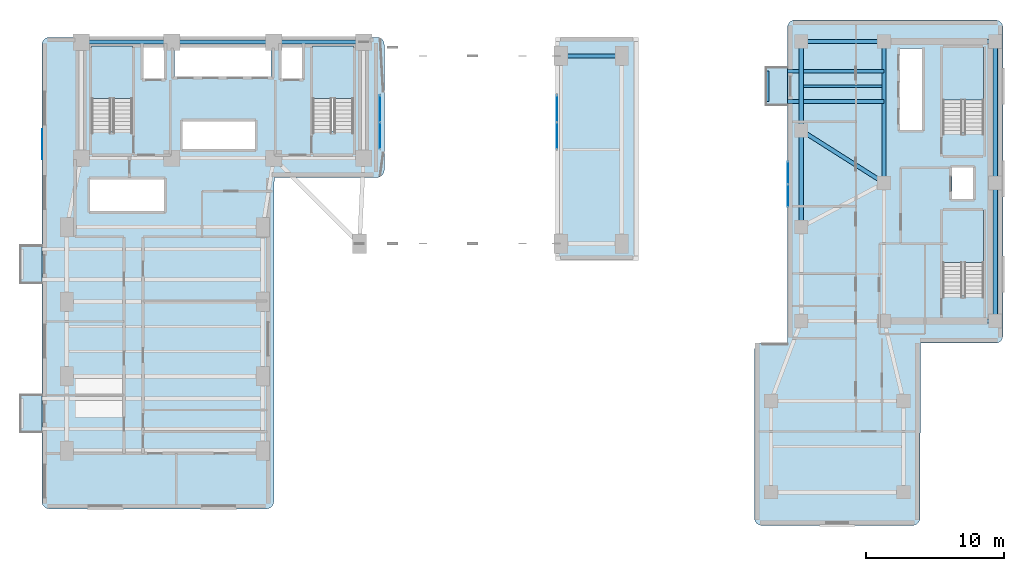
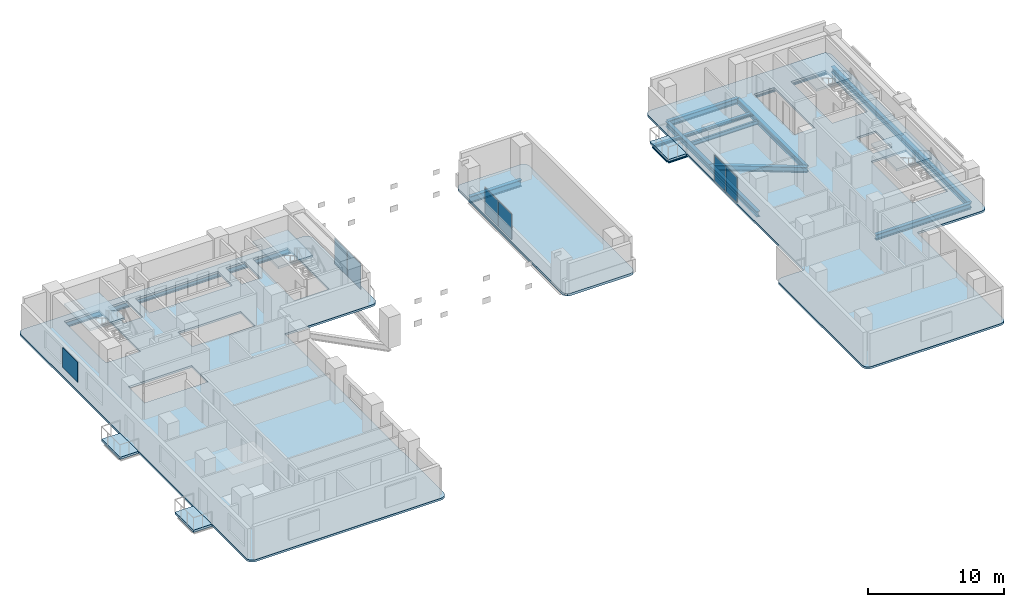
# One storey, part 6 of 14: 17 beams, 10 slabs, 7 plates, 7 elements without a shape of their own.
"""IFC4 building model written with IfcOpenShell, lengths in metres."""

from ifc_helpers import new_model, si_unit, direction, frame, origin, origin_2d, place, context, subcontext, project, spatial, polyline, rectangle, i_section, outline, extrude, material, layer, layer_set, material_profile, profile_set, type_object, element, aggregate, save


model = new_model("IFC4")

# Units and contexts
model_context = context("Model", 3, precision=1e-05, world=origin(), true_north=direction((0.0, 1.0)))
body_context = subcontext(model_context, "Body", "Model", "MODEL_VIEW")
ifc_project = project(units=[si_unit("LENGTHUNIT", "METRE"), si_unit("AREAUNIT", "SQUARE_METRE"), si_unit("VOLUMEUNIT", "CUBIC_METRE"), si_unit("PLANEANGLEUNIT", "RADIAN"), si_unit("MASSUNIT", "GRAM", prefix="KILO")], contexts=[model_context])

# Site, building, storey
site_placement = place(None, origin())
site = spatial("IfcSite", under=ifc_project, at=site_placement, CompositionType="ELEMENT")
building_placement = place(site_placement, origin())
building = spatial("IfcBuilding", under=site, at=building_placement, Name="Kuzgunbayir Cultural Tower", CompositionType="ELEMENT")
storey_placement = place(building_placement, frame((0.0, 0.0, 36.60009765625)))
storey = spatial("IfcBuildingStorey", under=building, at=storey_placement, Name="L09", CompositionType="ELEMENT", Elevation=36.60009765625)

# Beams
ifc_material_1 = material(Name="Steel S355J2", Category="steel")
ifc_material_profile_1 = material_profile(ifc_material_1, i_section(OverallWidth=0.260009765625, OverallDepth=0.260009765625, WebThickness=0.010009765625, FlangeThickness=0.017578125, FilletRadius=0.02392578125, at=origin_2d()), Name="HEB 260")
ifc_profile_set_1 = profile_set([ifc_material_profile_1], Name="Steel S355J2")
beam_type_1 = type_object("IfcBeamType", Name="BM-BAL-HEB260", PredefinedType="BEAM", material=ifc_profile_set_1)
for number, where, z_axis, x_axis, name in (
    (1, (56.159912109375, 37.89990234375, -0.330078125), (1.0, 0.0, 0.0), (0.0, 1.0, 0.0), "L09 Companion Balcony Outrigger BAL-L09-T2W3.1"),
    (2, (56.159912109375, 40.10009765625, -0.330078125), (1.0, 0.0, 0.0), (0.0, 1.0, 0.0), "L09 Companion Balcony Outrigger BAL-L09-T2W3.2"),
):
    element("IfcBeam", number, at=place(storey_placement, frame(where, z_axis=z_axis, x_axis=x_axis)), inside=storey, type_object=beam_type_1, Name=name, PredefinedType="BEAM", context=body_context, shape_type="SweptSolid", body=[
        extrude(i_section(OverallWidth=0.260009765625, OverallDepth=0.260009765625, WebThickness=0.010009765625, FlangeThickness=0.017578125, FilletRadius=0.02392578125, at=origin_2d()), origin(), (0.0, 0.0, 1.0), 8.440185546875),
    ])
ifc_material_profile_2 = material_profile(ifc_material_1, i_section(OverallWidth=0.199951171875, OverallDepth=0.199951171875, WebThickness=0.009033203125, FlangeThickness=0.014892578125, FilletRadius=0.01806640625, at=origin_2d()), Name="HEB 200")
ifc_profile_set_2 = profile_set([ifc_material_profile_2], Name="Steel S355J2")
beam_type_2 = type_object("IfcBeamType", Name="BM-CAN-HEB200", PredefinedType="BEAM", material=ifc_profile_set_2)
beam_1_placement = place(storey_placement, frame((56.159912109375, 37.89990234375, -0.300048828125), z_axis=(0.0, 1.0, 0.0), x_axis=(-1.0, 0.0, 0.0)))
element("IfcBeam", 3, at=beam_1_placement, inside=storey, type_object=beam_type_2, Name="L09 Companion Balcony Header BAL-L09-T2W3", PredefinedType="BEAM", context=body_context, shape_type="SweptSolid", body=[
    extrude(i_section(OverallWidth=0.199951171875, OverallDepth=0.199951171875, WebThickness=0.009033203125, FlangeThickness=0.014892578125, FilletRadius=0.01806640625, at=origin_2d()), origin(), (0.0, 0.0, 1.0), 2.2001953125),
])
ifc_material_profile_3 = material_profile(ifc_material_1, i_section(OverallWidth=0.300048828125, OverallDepth=0.5, WebThickness=0.014404296875, FlangeThickness=0.028076171875, FilletRadius=0.027099609375, at=origin_2d()), Name="HEB 500")
ifc_profile_set_3 = profile_set([ifc_material_profile_3], Name="Steel S355J2")
beam_type_3 = type_object("IfcBeamType", Name="BM-EXT-HEB500", PredefinedType="BEAM", material=ifc_profile_set_3)
beam_2_placement = place(storey_placement, frame((58.60009765625, 28.800048828125, -0.43017578125), z_axis=(0.0, 1.0, 0.0), x_axis=(-1.0, 0.0, 0.0)))
element("IfcBeam", 4, at=beam_2_placement, inside=storey, type_object=beam_type_3, Name="L09 Companion West Girder", PredefinedType="BEAM", context=body_context, shape_type="SweptSolid", body=[
    extrude(i_section(OverallWidth=0.300048828125, OverallDepth=0.5, WebThickness=0.014404296875, FlangeThickness=0.028076171875, FilletRadius=0.027099609375, at=origin_2d()), origin(), (0.0, 0.0, 1.0), 7.0),
])
beam_3_placement = place(storey_placement, frame((58.60009765625, 35.800048828125, -0.43017578125), z_axis=(0.0, 1.0, 0.0), x_axis=(-1.0, 0.0, 0.0)))
element("IfcBeam", 5, at=beam_3_placement, inside=storey, type_object=beam_type_3, Name="L09 Companion West Girder", PredefinedType="BEAM", context=body_context, shape_type="SweptSolid", body=[
    extrude(i_section(OverallWidth=0.300048828125, OverallDepth=0.5, WebThickness=0.014404296875, FlangeThickness=0.028076171875, FilletRadius=0.027099609375, at=origin_2d()), origin(), (0.0, 0.0, 1.0), 6.449951171875),
])
ifc_material_profile_4 = material_profile(ifc_material_1, i_section(OverallWidth=0.300048828125, OverallDepth=0.60009765625, WebThickness=0.015380859375, FlangeThickness=0.030029296875, FilletRadius=0.027099609375, at=origin_2d()), Name="HEB 600")
ifc_profile_set_4 = profile_set([ifc_material_profile_4], Name="Steel S355J2")
beam_type_4 = type_object("IfcBeamType", Name="BM-EXT-HEB600", PredefinedType="BEAM", material=ifc_profile_set_4)
beam_4_placement = place(storey_placement, frame((41.199951171875, 41.199951171875, -0.52001953125), z_axis=(1.0, 0.0, 0.0), x_axis=(0.0, 1.0, 0.0)))
element("IfcBeam", 6, at=beam_4_placement, inside=storey, type_object=beam_type_4, Name="L09 Portal Pier North Girder", PredefinedType="BEAM", context=body_context, shape_type="SweptSolid", body=[
    extrude(i_section(OverallWidth=0.300048828125, OverallDepth=0.60009765625, WebThickness=0.015380859375, FlangeThickness=0.030029296875, FilletRadius=0.027099609375, at=origin_2d()), origin(), (0.0, 0.0, 1.0), 4.400146484375),
])
ifc_material_profile_5 = material_profile(ifc_material_1, i_section(OverallWidth=0.300048828125, OverallDepth=0.5, WebThickness=0.014404296875, FlangeThickness=0.028076171875, FilletRadius=0.027099609375, at=origin_2d()), Name="HEB 500")
ifc_profile_set_5 = profile_set([ifc_material_profile_5], Name="Steel S355J2")
beam_type_5 = type_object("IfcBeamType", Name="BM-GIR-HEB500", PredefinedType="BEAM", material=ifc_profile_set_5)
beam_5_placement = place(storey_placement, frame((58.60009765625, 35.800048828125, -0.43017578125), z_axis=(0.844815967829, -0.535056988088, 0.0), x_axis=(0.535056988088, 0.844815967829, 0.0)))
element("IfcBeam", 7, at=beam_5_placement, inside=storey, type_object=beam_type_5, Name="L09 Companion Transverse Girder 3", PredefinedType="BEAM", context=body_context, shape_type="SweptSolid", body=[
    extrude(i_section(OverallWidth=0.300048828125, OverallDepth=0.5, WebThickness=0.014404296875, FlangeThickness=0.028076171875, FilletRadius=0.027099609375, at=origin_2d()), origin(), (0.0, 0.0, 1.0), 7.10205078125),
])
beam_6_placement = place(storey_placement, frame((58.60009765625, 42.25, -0.43017578125), z_axis=(1.0, 0.0, 0.0), x_axis=(0.0, 1.0, 0.0)))
element("IfcBeam", 8, at=beam_6_placement, inside=storey, type_object=beam_type_5, Name="L09 Companion Transverse Girder 4", PredefinedType="BEAM", context=body_context, shape_type="SweptSolid", body=[
    extrude(i_section(OverallWidth=0.300048828125, OverallDepth=0.5, WebThickness=0.014404296875, FlangeThickness=0.028076171875, FilletRadius=0.027099609375, at=origin_2d()), origin(), (0.0, 0.0, 1.0), 6.0),
])
beam_7_placement = place(storey_placement, frame((64.60009765625, 32.0, -0.43017578125), z_axis=(0.0, 1.0, 0.0), x_axis=(-1.0, 0.0, 0.0)))
element("IfcBeam", 9, at=beam_7_placement, inside=storey, type_object=beam_type_5, Name="L09 Companion Core West Girder 2", PredefinedType="BEAM", context=body_context, shape_type="SweptSolid", body=[
    extrude(i_section(OverallWidth=0.300048828125, OverallDepth=0.5, WebThickness=0.014404296875, FlangeThickness=0.028076171875, FilletRadius=0.027099609375, at=origin_2d()), origin(), (0.0, 0.0, 1.0), 10.25),
])
beam_8_placement = place(storey_placement, frame((72.64990234375, 22.0, -0.43017578125), z_axis=(0.0, 1.0, 0.0), x_axis=(-1.0, 0.0, 0.0)))
element("IfcBeam", 10, at=beam_8_placement, inside=storey, type_object=beam_type_5, Name="L09 Companion Core East Girder 1", PredefinedType="BEAM", context=body_context, shape_type="SweptSolid", body=[
    extrude(i_section(OverallWidth=0.300048828125, OverallDepth=0.5, WebThickness=0.014404296875, FlangeThickness=0.028076171875, FilletRadius=0.027099609375, at=origin_2d()), origin(), (0.0, 0.0, 1.0), 10.0),
])
beam_9_placement = place(storey_placement, frame((72.64990234375, 32.0, -0.43017578125), z_axis=(0.0, 1.0, 0.0), x_axis=(-1.0, 0.0, 0.0)))
element("IfcBeam", 11, at=beam_9_placement, inside=storey, type_object=beam_type_5, Name="L09 Companion Core East Girder 2", PredefinedType="BEAM", context=body_context, shape_type="SweptSolid", body=[
    extrude(i_section(OverallWidth=0.300048828125, OverallDepth=0.5, WebThickness=0.014404296875, FlangeThickness=0.028076171875, FilletRadius=0.027099609375, at=origin_2d()), origin(), (0.0, 0.0, 1.0), 10.25),
])
for number, where, z_axis, x_axis, name in (
    (12, (64.60009765625, 22.0, -0.43017578125), (1.0, 0.0, 0.0), (0.0, 1.0, 0.0), "L09 Companion Core South Girder"),
    (13, (64.60009765625, 42.25, -0.43017578125), (1.0, 0.0, 0.0), (0.0, 1.0, 0.0), "L09 Companion Core North Girder"),
):
    element("IfcBeam", number, at=place(storey_placement, frame(where, z_axis=z_axis, x_axis=x_axis)), inside=storey, type_object=beam_type_5, Name=name, PredefinedType="BEAM", context=body_context, shape_type="SweptSolid", body=[
        extrude(i_section(OverallWidth=0.300048828125, OverallDepth=0.5, WebThickness=0.014404296875, FlangeThickness=0.028076171875, FilletRadius=0.027099609375, at=origin_2d()), origin(), (0.0, 0.0, 1.0), 8.0498046875),
    ])
ifc_material_profile_6 = material_profile(ifc_material_1, i_section(OverallWidth=0.300048828125, OverallDepth=0.60009765625, WebThickness=0.015380859375, FlangeThickness=0.030029296875, FilletRadius=0.027099609375, at=origin_2d()), Name="HEB 600")
ifc_profile_set_6 = profile_set([ifc_material_profile_6], Name="Steel S355J2")
beam_type_6 = type_object("IfcBeamType", Name="BM-GIR-HEB600", PredefinedType="BEAM", material=ifc_profile_set_6)
beam_10_placement = place(storey_placement, frame((6.449951171875, 42.199951171875, -0.47998046875), z_axis=(1.0, 0.0, 0.0), x_axis=(0.0, 1.0, 0.0)))
element("IfcBeam", 14, at=beam_10_placement, inside=storey, type_object=beam_type_6, Name="L09 Core North Girder 1", PredefinedType="BEAM", context=body_context, shape_type="SweptSolid", body=[
    extrude(i_section(OverallWidth=0.300048828125, OverallDepth=0.60009765625, WebThickness=0.015380859375, FlangeThickness=0.030029296875, FilletRadius=0.027099609375, at=origin_2d()), origin(), (0.0, 0.0, 1.0), 6.550048828125),
])
beam_11_placement = place(storey_placement, frame((13.0, 42.199951171875, -0.47998046875), z_axis=(1.0, 0.0, 0.0), x_axis=(0.0, 1.0, 0.0)))
element("IfcBeam", 15, at=beam_11_placement, inside=storey, type_object=beam_type_6, Name="L09 Core North Girder 2", PredefinedType="BEAM", context=body_context, shape_type="SweptSolid", body=[
    extrude(i_section(OverallWidth=0.300048828125, OverallDepth=0.60009765625, WebThickness=0.015380859375, FlangeThickness=0.030029296875, FilletRadius=0.027099609375, at=origin_2d()), origin(), (0.0, 0.0, 1.0), 7.39990234375),
])
beam_12_placement = place(storey_placement, frame((20.39990234375, 42.199951171875, -0.47998046875), z_axis=(1.0, 0.0, 0.0), x_axis=(0.0, 1.0, 0.0)))
element("IfcBeam", 16, at=beam_12_placement, inside=storey, type_object=beam_type_6, Name="L09 Core North Girder 3", PredefinedType="BEAM", context=body_context, shape_type="SweptSolid", body=[
    extrude(i_section(OverallWidth=0.300048828125, OverallDepth=0.60009765625, WebThickness=0.015380859375, FlangeThickness=0.030029296875, FilletRadius=0.027099609375, at=origin_2d()), origin(), (0.0, 0.0, 1.0), 6.5),
])
ifc_material_profile_7 = material_profile(ifc_material_1, i_section(OverallWidth=0.169921875, OverallDepth=0.360107421875, WebThickness=0.008056640625, FlangeThickness=0.0126953125, FilletRadius=0.01806640625, at=origin_2d()), Name="IPE 360")
ifc_profile_set_7 = profile_set([ifc_material_profile_7], Name="Steel S355J2")
beam_type_7 = type_object("IfcBeamType", Name="BM-JST-IPE360", PredefinedType="JOIST", material=ifc_profile_set_7)
beam_13_placement = place(storey_placement, frame((58.75, 39.0, -0.360107421875), z_axis=(1.0, 0.0, 0.0), x_axis=(0.0, 1.0, 0.0)))
element("IfcBeam", 17, at=beam_13_placement, inside=storey, type_object=beam_type_7, Name="L09 Companion Joist", PredefinedType="JOIST", context=body_context, shape_type="SweptSolid", body=[
    extrude(i_section(OverallWidth=0.169921875, OverallDepth=0.360107421875, WebThickness=0.008056640625, FlangeThickness=0.0126953125, FilletRadius=0.01806640625, at=origin_2d()), origin(), (0.0, 0.0, 1.0), 5.699951171875),
])

# Curtain wall, plates
ifc_material_2 = material(Name="Anodised Aluminium Framing", Category="aluminium")
curtain_wall_type_1 = type_object("IfcCurtainWallType", Name="CW02-PORTAL-SOFFIT", PredefinedType="NOTDEFINED", material=ifc_material_2)
curtain_wall_1_placement = place(storey_placement, origin())
curtain_wall_1 = element("IfcCurtainWall", 18, at=curtain_wall_1_placement, inside=storey, type_object=curtain_wall_type_1, Name="L09 Void-Portal West Jamb Curtain Wall", PredefinedType="NOTDEFINED")
ifc_material_3 = material(Name="Solar-Control Triple Glazing", Category="glass")
ifc_layer_1 = layer(ifc_material_3, 0.035888671875)
ifc_layer_set_1 = layer_set([ifc_layer_1], Name="Solar-Control Triple Glazing")
plate_type_1 = type_object("IfcPlateType", Name="PLT-CW-GLASS-36", PredefinedType="CURTAIN_PANEL", material=ifc_layer_set_1)
plate_1_placement = place(storey_placement, frame((28.10009765625, 35.4150390625, 0.059814453125), z_axis=(0.0, 0.0, 1.0), x_axis=(0.0, 1.0, 0.0)))
plate_1 = element("IfcPlate", 19, at=plate_1_placement, type_object=plate_type_1, Name="CW02 panel 1.1", PredefinedType="CURTAIN_PANEL", context=body_context, shape_type="SweptSolid", body=[
    extrude(rectangle(XDim=1.909912109375, YDim=0.035888671875, at=origin_2d()), origin(), (0.0, 0.0, 1.0), 2.2900390625),
])
plate_2_placement = place(storey_placement, frame((28.10009765625, 37.385009765625, 0.059814453125), z_axis=(0.0, 0.0, 1.0), x_axis=(0.0, 1.0, 0.0)))
plate_2 = element("IfcPlate", 20, at=plate_2_placement, type_object=plate_type_1, Name="CW02 panel 2.1", PredefinedType="CURTAIN_PANEL", context=body_context, shape_type="SweptSolid", body=[
    extrude(rectangle(XDim=1.909912109375, YDim=0.035888671875, at=origin_2d()), origin(), (0.0, 0.0, 1.0), 2.2900390625),
])
aggregate(curtain_wall_1, [plate_1, plate_2])

curtain_wall_2_placement = place(storey_placement, origin())
curtain_wall_2 = element("IfcCurtainWall", 21, at=curtain_wall_2_placement, inside=storey, type_object=curtain_wall_type_1, Name="L09 Void-Portal East Jamb Curtain Wall", PredefinedType="NOTDEFINED")
plate_3_placement = place(storey_placement, frame((40.89990234375, 35.4150390625, 0.059814453125), z_axis=(0.0, 0.0, 1.0), x_axis=(0.0, 1.0, 0.0)))
plate_3 = element("IfcPlate", 22, at=plate_3_placement, type_object=plate_type_1, Name="CW02 panel 1.1", PredefinedType="CURTAIN_PANEL", context=body_context, shape_type="SweptSolid", body=[
    extrude(rectangle(XDim=1.909912109375, YDim=0.035888671875, at=origin_2d()), origin(), (0.0, 0.0, 1.0), 2.2900390625),
])
plate_4_placement = place(storey_placement, frame((40.89990234375, 37.385009765625, 0.059814453125), z_axis=(0.0, 0.0, 1.0), x_axis=(0.0, 1.0, 0.0)))
plate_4 = element("IfcPlate", 23, at=plate_4_placement, type_object=plate_type_1, Name="CW02 panel 2.1", PredefinedType="CURTAIN_PANEL", context=body_context, shape_type="SweptSolid", body=[
    extrude(rectangle(XDim=1.909912109375, YDim=0.035888671875, at=origin_2d()), origin(), (0.0, 0.0, 1.0), 2.2900390625),
])
aggregate(curtain_wall_2, [plate_3, plate_4])

curtain_wall_type_2 = type_object("IfcCurtainWallType", Name="CW04-T2-CULTURAL", PredefinedType="NOTDEFINED", material=ifc_material_2)
curtain_wall_3_placement = place(storey_placement, origin())
curtain_wall_3 = element("IfcCurtainWall", 24, at=curtain_wall_3_placement, inside=storey, type_object=curtain_wall_type_2, Name="L09 Companion Cultural Curtain Wall", PredefinedType="NOTDEFINED")
plate_5_placement = place(storey_placement, frame((57.6201171875, 31.06494140625, 0.059814453125), z_axis=(0.0, 0.0, 1.0), x_axis=(0.0, 1.0, 0.0)))
plate_5 = element("IfcPlate", 25, at=plate_5_placement, type_object=plate_type_1, Name="CW04 panel 1.1", PredefinedType="CURTAIN_PANEL", context=body_context, shape_type="SweptSolid", body=[
    extrude(rectangle(XDim=1.610107421875, YDim=0.035888671875, at=origin_2d()), origin(), (0.0, 0.0, 1.0), 2.2900390625),
])
plate_6_placement = place(storey_placement, frame((57.6201171875, 32.735107421875, 0.059814453125), z_axis=(0.0, 0.0, 1.0), x_axis=(0.0, 1.0, 0.0)))
plate_6 = element("IfcPlate", 26, at=plate_6_placement, type_object=plate_type_1, Name="CW04 panel 2.1", PredefinedType="CURTAIN_PANEL", context=body_context, shape_type="SweptSolid", body=[
    extrude(rectangle(XDim=1.610107421875, YDim=0.035888671875, at=origin_2d()), origin(), (0.0, 0.0, 1.0), 2.2900390625),
])
aggregate(curtain_wall_3, [plate_5, plate_6])

# Plate
ifc_material_4 = material(Name="Perforated Bronze-Anodised Aluminium", Category="aluminium")
ifc_layer_2 = layer(ifc_material_4, 0.02392578125)
ifc_layer_set_2 = layer_set([ifc_layer_2], Name="Perforated Bronze-Anodised Aluminium")
plate_type_2 = type_object("IfcPlateType", Name="PLT-SOLAR-SCREEN-14", PredefinedType="SHEET", material=ifc_layer_set_2)
plate_7_placement = place(storey_placement, frame((3.6298828125, 34.800048828125, 0.75), z_axis=(0.0, 0.0, 1.0), x_axis=(1.0, 0.0, 0.0)))
element("IfcPlate", 27, at=plate_7_placement, inside=storey, type_object=plate_type_2, Name="L09 Tower 1 Perforated Ceramic Solar Screen Panel", PredefinedType="SHEET", context=body_context, shape_type="SweptSolid", body=[
    extrude(rectangle(XDim=0.02392578125, YDim=2.199951171875, at=origin_2d()), origin(), (0.0, 0.0, 1.0), 1.800048828125),
])

# Slabs
ifc_material_5 = material(Name="Concrete C40/50", Category="concrete")
ifc_layer_3 = layer(ifc_material_5, 0.199951171875)
ifc_layer_set_3 = layer_set([ifc_layer_3], Name="Concrete C40/50")
slab_type_1 = type_object("IfcSlabType", Name="SLB-BAL-STONE", PredefinedType="FLOOR", material=ifc_layer_set_3)
slab_1_placement = place(storey_placement, frame((0.0, 0.0, -0.2001953125)))
element("IfcSlab", 28, at=slab_1_placement, inside=storey, type_object=slab_type_1, Name="L09 Projecting Limestone Balcony BAL-L09-WA1", PredefinedType="FLOOR", context=body_context, shape_type="SweptSolid", body=[
    extrude(outline(polyline([(2.0400390625, 13.949951171875), (3.60009765625, 13.949951171875), (3.60009765625, 16.64990234375), (2.0400390625, 16.64990234375), (2.0400390625, 13.949951171875)])), origin(), (0.0, 0.0, 1.0), 0.2001953125),
])
slab_2_placement = place(storey_placement, frame((0.0, 0.0, -0.2001953125)))
element("IfcSlab", 29, at=slab_2_placement, inside=storey, type_object=slab_type_1, Name="L09 Projecting Limestone Balcony BAL-L09-WA3", PredefinedType="FLOOR", context=body_context, shape_type="SweptSolid", body=[
    extrude(outline(polyline([(2.0400390625, 24.75), (3.60009765625, 24.75), (3.60009765625, 27.449951171875), (2.0400390625, 27.449951171875), (2.0400390625, 24.75)])), origin(), (0.0, 0.0, 1.0), 0.2001953125),
])
slab_3_placement = place(storey_placement, frame((0.0, 0.0, -0.2001953125)))
element("IfcSlab", 30, at=slab_3_placement, inside=storey, type_object=slab_type_1, Name="L09 Projecting Limestone Balcony BAL-L09-T2W3", PredefinedType="FLOOR", context=body_context, shape_type="SweptSolid", body=[
    extrude(outline(polyline([(56.0400390625, 37.64990234375), (57.60009765625, 37.64990234375), (57.60009765625, 40.35009765625), (56.0400390625, 40.35009765625), (56.0400390625, 37.64990234375)])), origin(), (0.0, 0.0, 1.0), 0.2001953125),
])

# Stair, slab
stair_type = type_object("IfcStairType", Name="STR-EXIT-CORE", PredefinedType="HALF_TURN_STAIR", material=ifc_material_5)
stair_1_placement = place(storey_placement, origin())
stair_1 = element("IfcStair", 31, at=stair_1_placement, inside=storey, type_object=stair_type, Name="L09 ST-1", PredefinedType="HALF_TURN_STAIR")
ifc_layer_4 = layer(ifc_material_5, 0.179931640625)
ifc_layer_set_4 = layer_set([ifc_layer_4], Name="Concrete C40/50")
slab_type_2 = type_object("IfcSlabType", Name="SLB-LANDING-180", PredefinedType="LANDING", material=ifc_layer_set_4)
slab_4_placement = place(storey_placement, frame((0.0, 0.0, 1.39990234375)))
slab_4 = element("IfcSlab", 32, at=slab_4_placement, type_object=slab_type_2, Name="ST-1 landing 1", PredefinedType="LANDING", context=body_context, shape_type="SweptSolid", body=[
    extrude(outline(polyline([(10.159912109375, 38.1201171875), (10.159912109375, 41.89990234375), (7.199951171875, 41.89990234375), (7.199951171875, 38.1201171875), (10.159912109375, 38.1201171875)])), origin(), (0.0, 0.0, 1.0), 0.199951171875),
])
aggregate(stair_1, [slab_4])

stair_2_placement = place(storey_placement, origin())
stair_2 = element("IfcStair", 33, at=stair_2_placement, inside=storey, type_object=stair_type, Name="L09 ST-2", PredefinedType="HALF_TURN_STAIR")
slab_5_placement = place(storey_placement, frame((0.0, 0.0, 1.39990234375)))
slab_5 = element("IfcSlab", 34, at=slab_5_placement, type_object=slab_type_2, Name="ST-2 landing 1", PredefinedType="LANDING", context=body_context, shape_type="SweptSolid", body=[
    extrude(outline(polyline([(26.159912109375, 38.1201171875), (26.159912109375, 41.89990234375), (23.199951171875, 41.89990234375), (23.199951171875, 38.1201171875), (26.159912109375, 38.1201171875)])), origin(), (0.0, 0.0, 1.0), 0.199951171875),
])
aggregate(stair_2, [slab_5])

stair_3_placement = place(storey_placement, origin())
stair_3 = element("IfcStair", 35, at=stair_3_placement, inside=storey, type_object=stair_type, Name="L09 ST-3", PredefinedType="HALF_TURN_STAIR")
slab_6_placement = place(storey_placement, frame((0.0, 0.0, 1.39990234375)))
slab_6 = element("IfcSlab", 36, at=slab_6_placement, type_object=slab_type_2, Name="ST-3 landing 1", PredefinedType="LANDING", context=body_context, shape_type="SweptSolid", body=[
    extrude(outline(polyline([(71.800048828125, 26.219970703125), (71.800048828125, 30.0), (68.840087890625, 30.0), (68.840087890625, 26.219970703125), (71.800048828125, 26.219970703125)])), origin(), (0.0, 0.0, 1.0), 0.199951171875),
])
aggregate(stair_3, [slab_6])

stair_4_placement = place(storey_placement, origin())
stair_4 = element("IfcStair", 37, at=stair_4_placement, inside=storey, type_object=stair_type, Name="L09 ST-4", PredefinedType="HALF_TURN_STAIR")
slab_7_placement = place(storey_placement, frame((0.0, 0.0, 1.39990234375)))
slab_7 = element("IfcSlab", 38, at=slab_7_placement, type_object=slab_type_2, Name="ST-4 landing 1", PredefinedType="LANDING", context=body_context, shape_type="SweptSolid", body=[
    extrude(outline(polyline([(71.800048828125, 38.02001953125), (71.800048828125, 41.800048828125), (68.840087890625, 41.800048828125), (68.840087890625, 38.02001953125), (71.800048828125, 38.02001953125)])), origin(), (0.0, 0.0, 1.0), 0.199951171875),
])
aggregate(stair_4, [slab_7])

# Slabs
ifc_layer_5 = layer(ifc_material_5, 0.219970703125)
ifc_layer_set_5 = layer_set([ifc_layer_5], Name="Concrete C40/50")
slab_type_3 = type_object("IfcSlabType", Name="SLB-ROOF-COMP-220", PredefinedType="ROOF", material=ifc_layer_set_5)
slab_8_placement = place(storey_placement, frame((0.0, 0.0, -0.22021484375)))
element("IfcSlab", 39, at=slab_8_placement, inside=storey, type_object=slab_type_3, Name="L09 Tower 1 Portal Structural Cap T1-PIER", PredefinedType="ROOF", context=body_context, shape_type="SweptSolid", body=[
    extrude(outline(polyline([(46.300048828125, 26.39990234375), (46.39990234375, 26.409912109375), (46.489990234375, 26.43994140625), (46.580078125, 26.47998046875), (46.64990234375, 26.550048828125), (46.719970703125, 26.6201171875), (46.760009765625, 26.7099609375), (46.7900390625, 26.800048828125), (46.800048828125, 26.89990234375), (46.800048828125, 42.050048828125), (46.7900390625, 42.14990234375), (46.760009765625, 42.239990234375), (46.719970703125, 42.330078125), (46.64990234375, 42.39990234375), (46.580078125, 42.469970703125), (46.489990234375, 42.510009765625), (46.39990234375, 42.5400390625), (46.300048828125, 42.550048828125), (41.300048828125, 42.550048828125), (41.199951171875, 42.5400390625), (41.110107421875, 42.510009765625), (41.02001953125, 42.469970703125), (40.949951171875, 42.39990234375), (40.8798828125, 42.330078125), (40.840087890625, 42.239990234375), (40.81005859375, 42.14990234375), (40.800048828125, 42.050048828125), (40.800048828125, 26.89990234375), (40.81005859375, 26.800048828125), (40.840087890625, 26.7099609375), (40.8798828125, 26.6201171875), (40.949951171875, 26.550048828125), (41.02001953125, 26.47998046875), (41.110107421875, 26.43994140625), (41.199951171875, 26.409912109375), (41.300048828125, 26.39990234375), (46.300048828125, 26.39990234375)])), origin(), (0.0, 0.0, 1.0), 0.22021484375),
])
ifc_layer_6 = layer(ifc_material_5, 0.179931640625)
ifc_layer_set_6 = layer_set([ifc_layer_6], Name="Concrete C40/50")
slab_type_4 = type_object("IfcSlabType", Name="SLB-TYP-180", PredefinedType="FLOOR", material=ifc_layer_set_6)
slab_9_placement = place(storey_placement, frame((0.0, 0.0, -0.18017578125)))
element("IfcSlab", 40, at=slab_9_placement, inside=storey, type_object=slab_type_4, Name="L09 Tower 1 Floor Slab T1-WEST", PredefinedType="FLOOR", context=body_context, shape_type="SweptSolid", body=[
    extrude(outline(polyline([(20.39990234375, 8.949951171875), (20.389892578125, 8.840087890625), (20.360107421875, 8.739990234375), (20.31005859375, 8.639892578125), (20.239990234375, 8.56005859375), (20.159912109375, 8.489990234375), (20.06005859375, 8.43994140625), (19.9599609375, 8.409912109375), (19.85009765625, 8.39990234375), (4.14990234375, 8.39990234375), (4.0400390625, 8.409912109375), (3.93994140625, 8.43994140625), (3.840087890625, 8.489990234375), (3.760009765625, 8.56005859375), (3.68994140625, 8.639892578125), (3.639892578125, 8.739990234375), (3.610107421875, 8.840087890625), (3.60009765625, 8.949951171875), (3.60009765625, 42.0), (3.610107421875, 42.110107421875), (3.639892578125, 42.2099609375), (3.68994140625, 42.31005859375), (3.760009765625, 42.389892578125), (3.840087890625, 42.4599609375), (3.93994140625, 42.510009765625), (4.0400390625, 42.5400390625), (4.14990234375, 42.550048828125), (27.85009765625, 42.550048828125), (27.9599609375, 42.5400390625), (28.06005859375, 42.510009765625), (28.159912109375, 42.4599609375), (28.239990234375, 42.389892578125), (28.31005859375, 42.31005859375), (28.360107421875, 42.2099609375), (28.389892578125, 42.110107421875), (28.39990234375, 42.0), (28.39990234375, 32.949951171875), (28.389892578125, 32.840087890625), (28.360107421875, 32.739990234375), (28.31005859375, 32.639892578125), (28.239990234375, 32.56005859375), (28.159912109375, 32.489990234375), (28.06005859375, 32.43994140625), (27.9599609375, 32.409912109375), (27.85009765625, 32.39990234375), (20.429931640625, 32.39990234375), (20.39990234375, 8.949951171875)]), holes=[polyline([(7.199951171875, 35.760009765625), (7.199951171875, 41.89990234375), (10.159912109375, 41.89990234375), (10.159912109375, 35.760009765625), (7.199951171875, 35.760009765625)]), polyline([(23.199951171875, 35.760009765625), (23.199951171875, 41.89990234375), (26.159912109375, 41.89990234375), (26.159912109375, 35.760009765625), (23.199951171875, 35.760009765625)]), polyline([(13.199951171875, 39.699951171875), (13.199951171875, 41.800048828125), (20.199951171875, 41.800048828125), (20.199951171875, 39.699951171875), (13.199951171875, 39.699951171875)]), polyline([(13.75, 34.39990234375), (13.75, 36.5), (19.080078125, 36.5), (19.080078125, 34.39990234375), (13.75, 34.39990234375)]), polyline([(7.10009765625, 29.89990234375), (7.10009765625, 32.300048828125), (12.5, 32.300048828125), (12.5, 29.89990234375), (7.10009765625, 29.89990234375)]), polyline([(10.89990234375, 39.5), (10.89990234375, 41.89990234375), (12.5, 41.89990234375), (12.5, 39.5), (10.89990234375, 39.5)]), polyline([(20.89990234375, 39.5), (20.89990234375, 41.89990234375), (22.5, 41.89990234375), (22.5, 39.5), (20.89990234375, 39.5)])]), origin(), (0.0, 0.0, 1.0), 0.18017578125),
])
slab_10_placement = place(storey_placement, frame((0.0, 0.0, -0.18017578125)))
element("IfcSlab", 41, at=slab_10_placement, inside=storey, type_object=slab_type_4, Name="L09 Companion Tower 2 Floor Slab", PredefinedType="FLOOR", context=body_context, shape_type="SweptSolid", body=[
    extrude(outline(polyline([(57.60009765625, 20.39990234375), (57.60009765625, 43.25), (57.610107421875, 43.360107421875), (57.639892578125, 43.4599609375), (57.68994140625, 43.56005859375), (57.760009765625, 43.639892578125), (57.840087890625, 43.7099609375), (57.93994140625, 43.760009765625), (58.0400390625, 43.7900390625), (58.14990234375, 43.800048828125), (72.64990234375, 43.800048828125), (72.760009765625, 43.7900390625), (72.860107421875, 43.760009765625), (72.9599609375, 43.7099609375), (73.0400390625, 43.639892578125), (73.110107421875, 43.56005859375), (73.159912109375, 43.4599609375), (73.18994140625, 43.360107421875), (73.199951171875, 43.25), (73.199951171875, 20.949951171875), (73.18994140625, 20.840087890625), (73.159912109375, 20.739990234375), (73.110107421875, 20.639892578125), (73.0400390625, 20.56005859375), (72.9599609375, 20.489990234375), (72.860107421875, 20.43994140625), (72.760009765625, 20.409912109375), (72.64990234375, 20.39990234375), (67.22998046875, 20.39990234375), (67.199951171875, 7.75), (67.18994140625, 7.639892578125), (67.159912109375, 7.5400390625), (67.110107421875, 7.43994140625), (67.0400390625, 7.360107421875), (66.9599609375, 7.2900390625), (66.860107421875, 7.239990234375), (66.760009765625, 7.2099609375), (66.64990234375, 7.199951171875), (55.75, 7.199951171875), (55.639892578125, 7.2099609375), (55.5400390625, 7.239990234375), (55.43994140625, 7.2900390625), (55.360107421875, 7.360107421875), (55.2900390625, 7.43994140625), (55.239990234375, 7.5400390625), (55.2099609375, 7.639892578125), (55.199951171875, 7.75), (55.199951171875, 19.85009765625), (55.2099609375, 19.9599609375), (55.239990234375, 20.06005859375), (55.2900390625, 20.159912109375), (55.360107421875, 20.239990234375), (55.43994140625, 20.31005859375), (55.5400390625, 20.360107421875), (55.639892578125, 20.389892578125), (55.75, 20.39990234375), (57.570068359375, 20.39990234375), (57.60009765625, 20.39990234375)]), holes=[polyline([(68.840087890625, 23.860107421875), (68.840087890625, 30.0), (71.800048828125, 30.0), (71.800048828125, 23.860107421875), (68.840087890625, 23.860107421875)]), polyline([(68.840087890625, 35.659912109375), (68.840087890625, 41.800048828125), (71.800048828125, 41.800048828125), (71.800048828125, 35.659912109375), (68.840087890625, 35.659912109375)]), polyline([(65.699951171875, 35.800048828125), (65.699951171875, 41.75), (67.39990234375, 41.75), (67.39990234375, 35.800048828125), (65.699951171875, 35.800048828125)]), polyline([(69.5, 30.800048828125), (69.5, 33.199951171875), (71.10009765625, 33.199951171875), (71.10009765625, 30.800048828125), (69.5, 30.800048828125)])]), origin(), (0.0, 0.0, 1.0), 0.18017578125),
])

save(model, "model.ifc")
